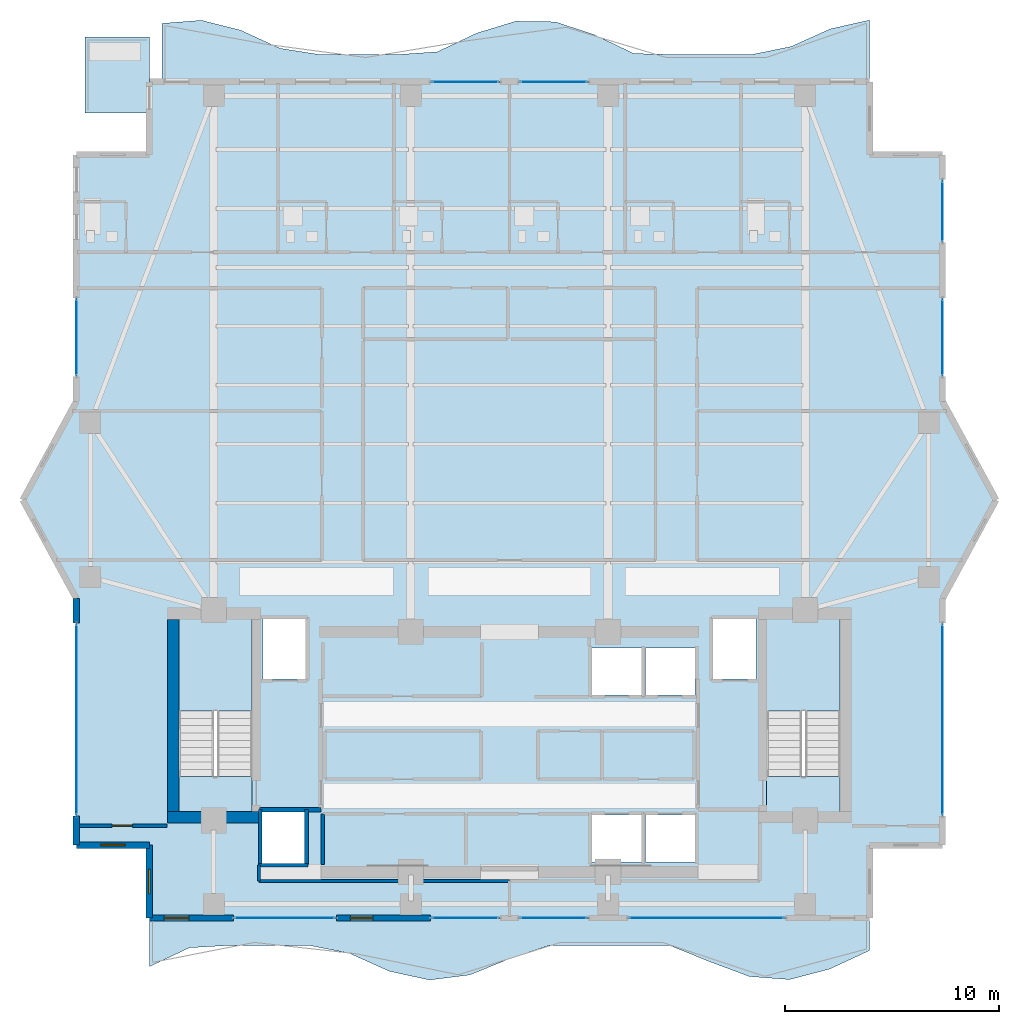
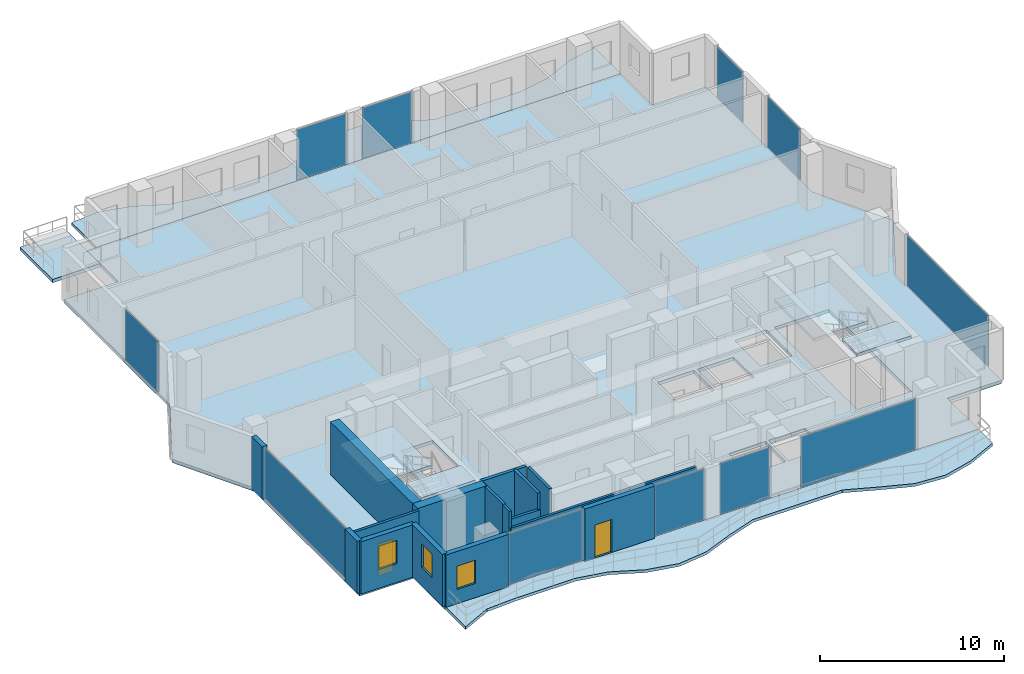
# One storey, part 16 of 24: 16 walls, 11 plates, 8 slabs, 3 windows, 2 doors, 5 openings, 13 elements without a shape of their own.
"""IFC4 building model written with IfcOpenShell, lengths in metres."""

from ifc_helpers import new_model, si_unit, direction, frame, frame_2d, origin, origin_2d, place, context, subcontext, project, spatial, polyline, rectangle, outline, extrude, material, layer, layer_set, type_object, element, fill, aggregate, save


model = new_model("IFC4")

# Units and contexts
model_context = context("Model", 3, precision=1e-05, world=origin(), true_north=direction((0.0, 1.0)))
body_context = subcontext(model_context, "Body", "Model", "MODEL_VIEW")
ifc_project = project(units=[si_unit("LENGTHUNIT", "METRE"), si_unit("AREAUNIT", "SQUARE_METRE"), si_unit("VOLUMEUNIT", "CUBIC_METRE"), si_unit("PLANEANGLEUNIT", "RADIAN"), si_unit("MASSUNIT", "GRAM", prefix="KILO")], contexts=[model_context])

# Site, building, storey
site_placement = place(None, origin())
site = spatial("IfcSite", under=ifc_project, at=site_placement, CompositionType="ELEMENT")
building_placement = place(site_placement, origin())
building = spatial("IfcBuilding", under=site, at=building_placement, Name="Zuhayl Quay Hotel", CompositionType="ELEMENT")
storey_placement = place(building_placement, frame((0.0, 0.0, 276.64990234375)))
storey = spatial("IfcBuildingStorey", under=building, at=storey_placement, Name="L70", CompositionType="ELEMENT", Elevation=276.64990234375)

# Curtain wall, plate
ifc_material_1 = material(Name="Anodised Aluminium 6063-T6", Category="aluminium")
ifc_layer_1 = layer(ifc_material_1, 0.169921875, Name="Anodised Aluminium 6063-T6", Category="aluminium")
ifc_layer_set_1 = layer_set([ifc_layer_1], Name="Anodised Aluminium 6063-T6")
curtain_wall_type = type_object("IfcCurtainWallType", Name="CW_SYS_Z4", PredefinedType="USERDEFINED", material=ifc_layer_set_1)
curtain_wall_1_placement = place(storey_placement, origin())
curtain_wall_1 = element("IfcCurtainWall", 1, at=curtain_wall_1_placement, inside=storey, type_object=curtain_wall_type, Name="L70 Curtain Wall ENV_L70_E02_CW1", ObjectType="UNITISED CURTAIN WALL", PredefinedType="USERDEFINED")
ifc_material_2 = material(Name="Dark Ceramic-Fritted Solar Glass", Category="glass")
ifc_layer_2 = layer(ifc_material_2, 0.035888671875, Name="Dark Ceramic-Fritted Solar Glass", Category="glass")
ifc_layer_set_2 = layer_set([ifc_layer_2], Name="Dark Ceramic-Fritted Solar Glass")
plate_type = type_object("IfcPlateType", Name="PN_DARK_FRIT_Z1", PredefinedType="CURTAIN_PANEL", material=ifc_layer_set_2)
plate_1_placement = place(storey_placement, frame((-20.199951171875, 9.25, 0.054931640625), z_axis=(0.0, 0.0, 1.0), x_axis=(0.0, 1.0, 0.0)))
plate_1 = element("IfcPlate", 2, at=plate_1_placement, type_object=plate_type, Name="CW-Z4 panel 1.1", PredefinedType="CURTAIN_PANEL", context=body_context, shape_type="SweptSolid", body=[
    extrude(rectangle(XDim=8.8701171875, YDim=0.035888671875, at=origin_2d()), origin(), (0.0, 0.0, 1.0), 3.3701171875),
])
aggregate(curtain_wall_1, [plate_1])

curtain_wall_2_placement = place(storey_placement, origin())
curtain_wall_2 = element("IfcCurtainWall", 3, at=curtain_wall_2_placement, inside=storey, type_object=curtain_wall_type, Name="L70 Curtain Wall ENV_L70_E05_CW1", ObjectType="UNITISED CURTAIN WALL", PredefinedType="USERDEFINED")
plate_2_placement = place(storey_placement, frame((-20.199951171875, 27.090087890625, 0.054931640625), z_axis=(0.0, 0.0, 1.0), x_axis=(0.0, 1.0, 0.0)))
plate_2 = element("IfcPlate", 4, at=plate_2_placement, type_object=plate_type, Name="CW-Z4 panel 1.1", PredefinedType="CURTAIN_PANEL", context=body_context, shape_type="SweptSolid", body=[
    extrude(rectangle(XDim=3.550048828125, YDim=0.035888671875, at=origin_2d()), origin(), (0.0, 0.0, 1.0), 3.3701171875),
])
aggregate(curtain_wall_2, [plate_2])

curtain_wall_3_placement = place(storey_placement, origin())
curtain_wall_3 = element("IfcCurtainWall", 5, at=curtain_wall_3_placement, inside=storey, type_object=curtain_wall_type, Name="L70 Curtain Wall ENV_L70_N_CW1", ObjectType="UNITISED CURTAIN WALL", PredefinedType="USERDEFINED")
plate_3_placement = place(storey_placement, frame((-2.06494140625, 39.0, 0.054931640625), z_axis=(0.0, 0.0, 1.0), x_axis=(1.0, 0.0, 0.0)))
plate_3 = element("IfcPlate", 6, at=plate_3_placement, type_object=plate_type, Name="CW-Z4 panel 1.1", PredefinedType="CURTAIN_PANEL", context=body_context, shape_type="SweptSolid", body=[
    extrude(rectangle(XDim=3.10009765625, YDim=0.035888671875, at=origin_2d()), origin(), (0.0, 0.0, 1.0), 3.3701171875),
])
aggregate(curtain_wall_3, [plate_3])

curtain_wall_4_placement = place(storey_placement, origin())
curtain_wall_4 = element("IfcCurtainWall", 7, at=curtain_wall_4_placement, inside=storey, type_object=curtain_wall_type, Name="L70 Curtain Wall ENV_L70_N_CW2", ObjectType="UNITISED CURTAIN WALL", PredefinedType="USERDEFINED")
plate_4_placement = place(storey_placement, frame((2.06494140625, 39.0, 0.054931640625), z_axis=(0.0, 0.0, 1.0), x_axis=(1.0, 0.0, 0.0)))
plate_4 = element("IfcPlate", 8, at=plate_4_placement, type_object=plate_type, Name="CW-Z4 panel 1.1", PredefinedType="CURTAIN_PANEL", context=body_context, shape_type="SweptSolid", body=[
    extrude(rectangle(XDim=3.10009765625, YDim=0.035888671875, at=origin_2d()), origin(), (0.0, 0.0, 1.0), 3.3701171875),
])
aggregate(curtain_wall_4, [plate_4])

curtain_wall_5_placement = place(storey_placement, origin())
curtain_wall_5 = element("IfcCurtainWall", 9, at=curtain_wall_5_placement, inside=storey, type_object=curtain_wall_type, Name="L70 Curtain Wall ENV_L70_E11_CW1", ObjectType="UNITISED CURTAIN WALL", PredefinedType="USERDEFINED")
plate_5_placement = place(storey_placement, frame((20.199951171875, 32.97509765625, 0.054931640625), z_axis=(0.0, 0.0, 1.0), x_axis=(0.0, -1.0, 0.0)))
plate_5 = element("IfcPlate", 10, at=plate_5_placement, type_object=plate_type, Name="CW-Z4 panel 1.1", PredefinedType="CURTAIN_PANEL", context=body_context, shape_type="SweptSolid", body=[
    extrude(rectangle(XDim=2.820068359375, YDim=0.035888671875, at=origin_2d()), origin(), (0.0, 0.0, 1.0), 3.3701171875),
])
aggregate(curtain_wall_5, [plate_5])

curtain_wall_6_placement = place(storey_placement, origin())
curtain_wall_6 = element("IfcCurtainWall", 11, at=curtain_wall_6_placement, inside=storey, type_object=curtain_wall_type, Name="L70 Curtain Wall ENV_L70_E11_CW2", ObjectType="UNITISED CURTAIN WALL", PredefinedType="USERDEFINED")
plate_6_placement = place(storey_placement, frame((20.199951171875, 27.090087890625, 0.054931640625), z_axis=(0.0, 0.0, 1.0), x_axis=(0.0, -1.0, 0.0)))
plate_6 = element("IfcPlate", 12, at=plate_6_placement, type_object=plate_type, Name="CW-Z4 panel 1.1", PredefinedType="CURTAIN_PANEL", context=body_context, shape_type="SweptSolid", body=[
    extrude(rectangle(XDim=3.550048828125, YDim=0.035888671875, at=origin_2d()), origin(), (0.0, 0.0, 1.0), 3.3701171875),
])
aggregate(curtain_wall_6, [plate_6])

curtain_wall_7_placement = place(storey_placement, origin())
curtain_wall_7 = element("IfcCurtainWall", 13, at=curtain_wall_7_placement, inside=storey, type_object=curtain_wall_type, Name="L70 Curtain Wall ENV_L70_E14_CW1", ObjectType="UNITISED CURTAIN WALL", PredefinedType="USERDEFINED")
plate_7_placement = place(storey_placement, frame((20.199951171875, 9.25, 0.054931640625), z_axis=(0.0, 0.0, 1.0), x_axis=(0.0, -1.0, 0.0)))
plate_7 = element("IfcPlate", 14, at=plate_7_placement, type_object=plate_type, Name="CW-Z4 panel 1.1", PredefinedType="CURTAIN_PANEL", context=body_context, shape_type="SweptSolid", body=[
    extrude(rectangle(XDim=8.8701171875, YDim=0.035888671875, at=origin_2d()), origin(), (0.0, 0.0, 1.0), 3.3701171875),
])
aggregate(curtain_wall_7, [plate_7])

curtain_wall_8_placement = place(storey_placement, origin())
curtain_wall_8 = element("IfcCurtainWall", 15, at=curtain_wall_8_placement, inside=storey, type_object=curtain_wall_type, Name="L70 Curtain Wall ENV_L70_S_CW1", ObjectType="UNITISED CURTAIN WALL", PredefinedType="USERDEFINED")
plate_8_placement = place(storey_placement, frame((9.199951171875, 0.0, 0.054931640625), z_axis=(0.0, 0.0, 1.0), x_axis=(-1.0, 0.0, 0.0)))
plate_8 = element("IfcPlate", 16, at=plate_8_placement, type_object=plate_type, Name="CW-Z4 panel 1.1", PredefinedType="CURTAIN_PANEL", context=body_context, shape_type="SweptSolid", body=[
    extrude(rectangle(XDim=7.22998046875, YDim=0.035888671875, at=origin_2d()), origin(), (0.0, 0.0, 1.0), 3.3701171875),
])
aggregate(curtain_wall_8, [plate_8])

curtain_wall_9_placement = place(storey_placement, origin())
curtain_wall_9 = element("IfcCurtainWall", 17, at=curtain_wall_9_placement, inside=storey, type_object=curtain_wall_type, Name="L70 Curtain Wall ENV_L70_S_CW2", ObjectType="UNITISED CURTAIN WALL", PredefinedType="USERDEFINED")
plate_9_placement = place(storey_placement, frame((2.06494140625, 0.0, 0.054931640625), z_axis=(0.0, 0.0, 1.0), x_axis=(-1.0, 0.0, 0.0)))
plate_9 = element("IfcPlate", 18, at=plate_9_placement, type_object=plate_type, Name="CW-Z4 panel 1.1", PredefinedType="CURTAIN_PANEL", context=body_context, shape_type="SweptSolid", body=[
    extrude(rectangle(XDim=3.10009765625, YDim=0.035888671875, at=origin_2d()), origin(), (0.0, 0.0, 1.0), 3.3701171875),
])
aggregate(curtain_wall_9, [plate_9])

curtain_wall_10_placement = place(storey_placement, origin())
curtain_wall_10 = element("IfcCurtainWall", 19, at=curtain_wall_10_placement, inside=storey, type_object=curtain_wall_type, Name="L70 Curtain Wall ENV_L70_S_CW3", ObjectType="UNITISED CURTAIN WALL", PredefinedType="USERDEFINED")
plate_10_placement = place(storey_placement, frame((-2.06494140625, 0.0, 0.054931640625), z_axis=(0.0, 0.0, 1.0), x_axis=(-1.0, 0.0, 0.0)))
plate_10 = element("IfcPlate", 20, at=plate_10_placement, type_object=plate_type, Name="CW-Z4 panel 1.1", PredefinedType="CURTAIN_PANEL", context=body_context, shape_type="SweptSolid", body=[
    extrude(rectangle(XDim=3.10009765625, YDim=0.035888671875, at=origin_2d()), origin(), (0.0, 0.0, 1.0), 3.3701171875),
])
aggregate(curtain_wall_10, [plate_10])

curtain_wall_11_placement = place(storey_placement, origin())
curtain_wall_11 = element("IfcCurtainWall", 21, at=curtain_wall_11_placement, inside=storey, type_object=curtain_wall_type, Name="L70 Curtain Wall ENV_L70_S_CW4", ObjectType="UNITISED CURTAIN WALL", PredefinedType="USERDEFINED")
plate_11_placement = place(storey_placement, frame((-10.4775390625, 0.0, 0.054931640625), z_axis=(0.0, 0.0, 1.0), x_axis=(-1.0, 0.0, 0.0)))
plate_11 = element("IfcPlate", 22, at=plate_11_placement, type_object=plate_type, Name="CW-Z4 panel 1.1", PredefinedType="CURTAIN_PANEL", context=body_context, shape_type="SweptSolid", body=[
    extrude(rectangle(XDim=4.675048828125, YDim=0.035888671875, at=origin_2d()), origin(), (0.0, 0.0, 1.0), 3.3701171875),
])
aggregate(curtain_wall_11, [plate_11])

# Slabs
ifc_material_3 = material(Name="Concrete C45/55", Category="concrete")
ifc_layer_3 = layer(ifc_material_3, 0.195068359375, Name="Concrete C45/55", Category="concrete")
ifc_layer_set_3 = layer_set([ifc_layer_3], Name="Concrete C45/55")
slab_type_1 = type_object("IfcSlabType", Name="SL_BALCONY_195", PredefinedType="FLOOR", material=ifc_layer_set_3)
slab_1_placement = place(storey_placement, frame((0.0, 0.0, -0.19482421875)))
element("IfcSlab", 23, at=slab_1_placement, inside=storey, type_object=slab_type_1, Name="L70 Exterior Rippling Balcony Slab North", PredefinedType="FLOOR", context=body_context, shape_type="SweptSolid", body=[
    extrude(outline(polyline([(-16.199951171875, 39.0), (16.800048828125, 39.0), (16.800048828125, 41.889404296875), (14.966796875, 41.47412109375), (13.13330078125, 40.64990234375), (11.300048828125, 40.280029296875), (9.466796875, 40.280029296875), (7.63330078125, 40.280029296875), (5.800048828125, 40.326416015625), (3.966796875, 41.202880859375), (2.13330078125, 41.8046875), (0.300048828125, 41.833740234375), (-1.533203125, 41.27490234375), (-3.36669921875, 40.406005859375), (-5.199951171875, 40.280029296875), (-7.033203125, 40.280029296875), (-8.86669921875, 40.280029296875), (-10.699951171875, 40.568115234375), (-12.533203125, 41.410888671875), (-14.36669921875, 41.8759765625), (-16.199951171875, 41.732421875), (-16.199951171875, 39.0)])), origin(), (0.0, 0.0, 1.0), 0.19482421875),
])
slab_2_placement = place(storey_placement, frame((0.0, 0.0, -0.19482421875)))
element("IfcSlab", 24, at=slab_2_placement, inside=storey, type_object=slab_type_1, Name="L70 Exterior Rippling Balcony Slab South", PredefinedType="FLOOR", context=body_context, shape_type="SweptSolid", body=[
    extrude(outline(polyline([(-16.800048828125, -2.27490234375), (-14.933349609375, -1.39013671875), (-13.066650390625, -1.280029296875), (-11.199951171875, -1.280029296875), (-9.333251953125, -1.280029296875), (-7.466796875, -1.64990234375), (-5.60009765625, -2.486328125), (-3.7333984375, -2.893310546875), (-1.86669921875, -2.661376953125), (0.0, -1.909912109375), (1.86669921875, -1.280029296875), (3.7333984375, -1.280029296875), (5.60009765625, -1.280029296875), (7.466796875, -1.280029296875), (9.333251953125, -2.036376953125), (11.199951171875, -2.732421875), (13.066650390625, -2.872802734375), (14.933349609375, -2.384765625), (16.800048828125, -1.519287109375), (16.800048828125, 0.0), (-16.800048828125, 0.0), (-16.800048828125, -2.27490234375)])), origin(), (0.0, 0.0, 1.0), 0.19482421875),
])
ifc_layer_4 = layer(ifc_material_3, 0.219970703125, Name="Concrete C45/55", Category="concrete")
ifc_layer_set_4 = layer_set([ifc_layer_4], Name="Concrete C45/55")
slab_type_2 = type_object("IfcSlabType", Name="SL_FLOOR_220", PredefinedType="FLOOR", material=ifc_layer_set_4)
slab_3_placement = place(storey_placement, frame((0.0, 0.0, -0.219970703125)))
element("IfcSlab", 25, at=slab_3_placement, inside=storey, type_object=slab_type_2, Name="L70 Structural Floor Slab", PredefinedType="FLOOR", context=body_context, shape_type="SweptSolid", body=[
    extrude(outline(polyline([(-16.800048828125, 0.0), (16.800048828125, 0.0), (16.800048828125, 3.39990234375), (20.199951171875, 3.39990234375), (20.199951171875, 14.89990234375), (22.699951171875, 19.5), (20.199951171875, 24.10009765625), (20.199951171875, 35.60009765625), (16.800048828125, 35.60009765625), (16.800048828125, 39.0), (-16.800048828125, 39.0), (-16.800048828125, 35.60009765625), (-20.199951171875, 35.60009765625), (-20.199951171875, 24.10009765625), (-22.699951171875, 19.5), (-20.199951171875, 14.89990234375), (-20.199951171875, 3.39990234375), (-16.800048828125, 3.39990234375), (-16.800048828125, 0.0)]), holes=[polyline([(-12.0, 4.949951171875), (-12.0, 13.949951171875), (-15.429931640625, 13.949951171875), (-15.429931640625, 4.949951171875), (-12.0, 4.949951171875)]), polyline([(15.429931640625, 4.949951171875), (15.429931640625, 13.949951171875), (12.0, 13.949951171875), (12.0, 4.949951171875), (15.429931640625, 4.949951171875)]), polyline([(-11.5, 11.14990234375), (-9.5, 11.14990234375), (-9.5, 13.949951171875), (-11.5, 13.949951171875), (-11.5, 11.14990234375)]), polyline([(9.5, 11.14990234375), (11.5, 11.14990234375), (11.5, 13.949951171875), (9.5, 13.949951171875), (9.5, 11.14990234375)]), polyline([(3.85009765625, 2.60009765625), (6.14990234375, 2.60009765625), (6.14990234375, 4.800048828125), (3.85009765625, 4.800048828125), (3.85009765625, 2.60009765625)]), polyline([(6.35009765625, 2.60009765625), (8.64990234375, 2.60009765625), (8.64990234375, 4.800048828125), (6.35009765625, 4.800048828125), (6.35009765625, 2.60009765625)]), polyline([(3.85009765625, 10.39990234375), (6.14990234375, 10.39990234375), (6.14990234375, 12.60009765625), (3.85009765625, 12.60009765625), (3.85009765625, 10.39990234375)]), polyline([(6.35009765625, 10.39990234375), (8.64990234375, 10.39990234375), (8.64990234375, 12.60009765625), (6.35009765625, 12.60009765625), (6.35009765625, 10.39990234375)]), polyline([(-11.550048828125, 2.550048828125), (-9.550048828125, 2.550048828125), (-9.550048828125, 4.949951171875), (-11.550048828125, 4.949951171875), (-11.550048828125, 2.550048828125)])]), origin(), (0.0, 0.0, 1.0), 0.219970703125),
])

# Stair, slabs
stair_type = type_object("IfcStairType", Name="ST_DOGLEG_TOWER", PredefinedType="HALF_TURN_STAIR", material=ifc_material_3)
stair_1_placement = place(storey_placement, origin())
stair_1 = element("IfcStair", 26, at=stair_1_placement, inside=storey, type_object=stair_type, Name="L70 Smokeproof Exit Stair ST1", PredefinedType="HALF_TURN_STAIR")
ifc_layer_5 = layer(ifc_material_3, 0.199951171875, Name="Concrete C45/55", Category="concrete")
ifc_layer_set_5 = layer_set([ifc_layer_5], Name="Concrete C45/55")
slab_type_3 = type_object("IfcSlabType", Name="SL_STAIR_LANDING_200", PredefinedType="LANDING", material=ifc_layer_set_5)
slab_4_placement = place(storey_placement, frame((0.0, 0.0, 1.650146484375)))
slab_4 = element("IfcSlab", 27, at=slab_4_placement, type_object=slab_type_3, Name="ST1 landing 1", PredefinedType="LANDING", context=body_context, shape_type="SweptSolid", body=[
    extrude(outline(polyline([(-12.0, 9.64990234375), (-12.0, 13.949951171875), (-15.429931640625, 13.949951171875), (-15.429931640625, 9.64990234375), (-12.0, 9.64990234375)])), origin(), (0.0, 0.0, 1.0), 0.199951171875),
])
slab_5_placement = place(storey_placement, frame((0.0, 0.0, 3.5)))
slab_5 = element("IfcSlab", 28, at=slab_5_placement, type_object=slab_type_3, Name="ST1 landing 2", PredefinedType="LANDING", context=body_context, shape_type="SweptSolid", body=[
    extrude(outline(polyline([(-12.0, 4.949951171875), (-12.0, 6.590087890625), (-15.429931640625, 6.590087890625), (-15.429931640625, 4.949951171875), (-12.0, 4.949951171875)])), origin(), (0.0, 0.0, 1.0), 0.2001953125),
])
aggregate(stair_1, [slab_4, slab_5])

stair_2_placement = place(storey_placement, origin())
stair_2 = element("IfcStair", 29, at=stair_2_placement, inside=storey, type_object=stair_type, Name="L70 Smokeproof Exit Stair ST2", PredefinedType="HALF_TURN_STAIR")
slab_6_placement = place(storey_placement, frame((0.0, 0.0, 1.650146484375)))
slab_6 = element("IfcSlab", 30, at=slab_6_placement, type_object=slab_type_3, Name="ST2 landing 1", PredefinedType="LANDING", context=body_context, shape_type="SweptSolid", body=[
    extrude(outline(polyline([(15.429931640625, 9.64990234375), (15.429931640625, 13.949951171875), (12.0, 13.949951171875), (12.0, 9.64990234375), (15.429931640625, 9.64990234375)])), origin(), (0.0, 0.0, 1.0), 0.199951171875),
])
slab_7_placement = place(storey_placement, frame((0.0, 0.0, 3.5)))
slab_7 = element("IfcSlab", 31, at=slab_7_placement, type_object=slab_type_3, Name="ST2 landing 2", PredefinedType="LANDING", context=body_context, shape_type="SweptSolid", body=[
    extrude(outline(polyline([(15.429931640625, 4.949951171875), (15.429931640625, 6.590087890625), (12.0, 6.590087890625), (12.0, 4.949951171875), (15.429931640625, 4.949951171875)])), origin(), (0.0, 0.0, 1.0), 0.2001953125),
])
aggregate(stair_2, [slab_6, slab_7])

# Slab
ifc_layer_6 = layer(ifc_material_3, 0.219970703125, Name="Concrete C45/55", Category="concrete")
ifc_layer_set_6 = layer_set([ifc_layer_6], Name="Concrete C45/55")
slab_type_4 = type_object("IfcSlabType", Name="SL_TERRACE_235", PredefinedType="FLOOR", material=ifc_layer_set_6)
slab_8_placement = place(storey_placement, frame((0.0, 0.0, -0.219970703125)))
element("IfcSlab", 32, at=slab_8_placement, inside=storey, type_object=slab_type_4, Name="L70 Exterior Sky-Terrace Slab L70_SPIRAL_NW", PredefinedType="FLOOR", context=body_context, shape_type="SweptSolid", body=[
    extrude(outline(polyline([(-19.800048828125, 37.550048828125), (-16.800048828125, 37.550048828125), (-16.800048828125, 41.10009765625), (-19.800048828125, 41.10009765625), (-19.800048828125, 37.550048828125)])), origin(), (0.0, 0.0, 1.0), 0.219970703125),
])

# Walls
ifc_material_4 = material(Name="Concrete C50/60", Category="concrete")
ifc_layer_7 = layer(ifc_material_4, 0.550048828125, Name="Concrete C50/60", Category="concrete")
ifc_layer_set_7 = layer_set([ifc_layer_7], Name="Concrete C50/60")
wall_type_1 = type_object("IfcWallType", Name="WL_CORE_550", PredefinedType="SHEAR", material=ifc_layer_set_7)
wall_1_placement = place(storey_placement, frame((-15.68505859375, 4.969970703125, 0.0), z_axis=(0.0, 0.0, 1.0), x_axis=(0.0, 1.0, 0.0)))
element("IfcWall", 33, at=wall_1_placement, inside=storey, type_object=wall_type_1, Name="L70 Core Shear Wall CW_W", PredefinedType="SHEAR", context=body_context, shape_type="SweptSolid", body=[
    extrude(rectangle(XDim=8.9599609375, YDim=0.550048828125, at=frame_2d((4.47998046875, 0.0))), origin(), (0.0, 0.0, 1.0), 3.510009765625),
])
wall_2_placement = place(storey_placement, frame((-15.9599609375, 4.695068359375, 0.0), z_axis=(0.0, 0.0, 1.0), x_axis=(1.0, 0.0, 0.0)))
element("IfcWall", 34, at=wall_2_placement, inside=storey, type_object=wall_type_1, Name="L70 Core Shear Wall CW_SW", PredefinedType="SHEAR", context=body_context, shape_type="SweptSolid", body=[
    extrude(rectangle(XDim=4.35986328125, YDim=0.550048828125, at=frame_2d((2.179931640625, 0.0))), origin(), (0.0, 0.0, 1.0), 3.510009765625),
])

# Wall, opening, window
ifc_material_5 = material(Name="Precast concrete C45/55", Category="concrete")
ifc_layer_8 = layer(ifc_material_5, 0.300048828125, Name="Precast concrete C45/55", Category="concrete")
ifc_layer_set_8 = layer_set([ifc_layer_8], Name="Precast concrete C45/55")
wall_type_2 = type_object("IfcWallType", Name="WL_EXT_300", PredefinedType="STANDARD", material=ifc_layer_set_8)
wall_3_placement = place(storey_placement, frame((-16.800048828125, 3.39990234375, 0.0), z_axis=(0.0, 0.0, 1.0), x_axis=(-1.0, 0.0, 0.0)))
wall_3 = element("IfcWall", 35, at=wall_3_placement, inside=storey, type_object=wall_type_2, Name="L70 Exterior Precast Wall ENV_L70_EW01", PredefinedType="STANDARD", context=body_context, shape_type="SweptSolid", body=[
    extrude(rectangle(XDim=3.39990234375, YDim=0.300048828125, at=frame_2d((1.699951171875, 0.0))), origin(), (0.0, 0.0, 1.0), 3.47998046875),
])
opening_1_placement = place(wall_3_placement, frame((1.125, 0.0, 1.25)))
opening_1 = element("IfcOpeningElement", 36, at=opening_1_placement, cuts=wall_3, Name="Opening W01N", PredefinedType="OPENING", context=body_context, shape_type="SweptSolid", body=[
    extrude(rectangle(XDim=1.14990234375, YDim=1.550048828125, at=frame_2d((0.574951171875, 0.77490234375))), frame((0.0, 0.159912109375, 0.0), z_axis=(0.0, -1.0, 0.0), x_axis=(1.0, 0.0, 0.0)), (0.0, 0.0, 1.0), 0.320068359375),
])
window_type = type_object("IfcWindowType", Name="WN_NOTCH_1350", PartitioningType="SINGLE_PANEL", PredefinedType="WINDOW", material=ifc_material_2)
window_1_placement = place(opening_1_placement, origin())
window_1 = element("IfcWindow", 37, at=window_1_placement, inside=storey, type_object=window_type, Name="L70 Corner Notch Window 1", OverallHeight=1.550048828125, OverallWidth=1.14990234375, PartitioningType="SINGLE_PANEL", PredefinedType="WINDOW", context=body_context, shape_type="SweptSolid", body=[
    extrude(rectangle(XDim=1.14990234375, YDim=1.550048828125, at=frame_2d((0.574951171875, 0.77490234375))), frame((0.0, 0.030029296875, 0.0), z_axis=(0.0, -1.0, 0.0), x_axis=(1.0, 0.0, 0.0)), (0.0, 0.0, 1.0), 0.06005859375),
])
fill(opening_1, window_1)

# Walls
wall_4_placement = place(storey_placement, frame((-20.199951171875, 3.39990234375, 0.0), z_axis=(0.0, 0.0, 1.0), x_axis=(0.0, 1.0, 0.0)))
element("IfcWall", 38, at=wall_4_placement, inside=storey, type_object=wall_type_2, Name="L70 Exterior Precast Wall ENV_L70_E02_EW1", PredefinedType="STANDARD", context=body_context, shape_type="SweptSolid", body=[
    extrude(rectangle(XDim=1.35009765625, YDim=0.300048828125, at=frame_2d((0.675048828125, 0.0))), origin(), (0.0, 0.0, 1.0), 3.47998046875),
])
wall_5_placement = place(storey_placement, frame((-20.199951171875, 13.75, 0.0), z_axis=(0.0, 0.0, 1.0), x_axis=(0.0, 1.0, 0.0)))
element("IfcWall", 39, at=wall_5_placement, inside=storey, type_object=wall_type_2, Name="L70 Exterior Precast Wall ENV_L70_E02_EW2", PredefinedType="STANDARD", context=body_context, shape_type="SweptSolid", body=[
    extrude(rectangle(XDim=1.14990234375, YDim=0.300048828125, at=frame_2d((0.574951171875, 0.0))), origin(), (0.0, 0.0, 1.0), 3.47998046875),
])

# Wall, opening, door
wall_6_placement = place(storey_placement, frame((-3.679931640625, 0.0, 0.0), z_axis=(0.0, 0.0, 1.0), x_axis=(-1.0, 0.0, 0.0)))
wall_6 = element("IfcWall", 40, at=wall_6_placement, inside=storey, type_object=wall_type_2, Name="L70 Exterior Precast Wall ENV_L70_S_EW4", PredefinedType="STANDARD", context=body_context, shape_type="SweptSolid", body=[
    extrude(rectangle(XDim=4.39501953125, YDim=0.300048828125, at=frame_2d((2.197509765625, 0.0))), origin(), (0.0, 0.0, 1.0), 3.47998046875),
])
opening_2_placement = place(wall_6_placement, frame((2.695068359375, 0.0, 0.0)))
opening_2 = element("IfcOpeningElement", 41, at=opening_2_placement, cuts=wall_6, Name="Opening DG1", PredefinedType="OPENING", context=body_context, shape_type="SweptSolid", body=[
    extrude(rectangle(XDim=1.050048828125, YDim=2.199951171875, at=frame_2d((0.52490234375, 1.10009765625))), frame((0.0, 0.159912109375, 0.0), z_axis=(0.0, -1.0, 0.0), x_axis=(1.0, 0.0, 0.0)), (0.0, 0.0, 1.0), 0.320068359375),
])
ifc_material_6 = material(Name="Anodised Aluminium and Dark Solar Glass", Category="aluminium")
door_type_1 = type_object("IfcDoorType", Name="DR_EXT_TERR_1050", OperationType="NOTDEFINED", PredefinedType="DOOR", material=ifc_material_6)
door_1_placement = place(opening_2_placement, origin())
door_1 = element("IfcDoor", 42, at=door_1_placement, inside=storey, type_object=door_type_1, Name="L70 South Rippling Balcony Door", OperationType="SINGLE_SWING_RIGHT", OverallHeight=2.199951171875, OverallWidth=1.050048828125, PredefinedType="DOOR", context=body_context, shape_type="SweptSolid", body=[
    extrude(rectangle(XDim=1.050048828125, YDim=2.199951171875, at=frame_2d((0.52490234375, 1.10009765625))), frame((0.0, 0.02490234375, 0.0), z_axis=(0.0, -1.0, 0.0), x_axis=(1.0, 0.0, 0.0)), (0.0, 0.0, 1.0), 0.050048828125),
])
fill(opening_2, door_1)

# Wall, opening, window
wall_7_placement = place(storey_placement, frame((-12.8798828125, 0.0, 0.0), z_axis=(0.0, 0.0, 1.0), x_axis=(-1.0, 0.0, 0.0)))
wall_7 = element("IfcWall", 43, at=wall_7_placement, inside=storey, type_object=wall_type_2, Name="L70 Exterior Precast Wall ENV_L70_S_EW5", PredefinedType="STANDARD", context=body_context, shape_type="SweptSolid", body=[
    extrude(rectangle(XDim=3.920166015625, YDim=0.300048828125, at=frame_2d((1.9599609375, 0.0))), origin(), (0.0, 0.0, 1.0), 3.47998046875),
])
opening_3_placement = place(wall_7_placement, frame((2.074951171875, 0.0, 0.949951171875)))
opening_3 = element("IfcOpeningElement", 44, at=opening_3_placement, cuts=wall_7, Name="Opening W01N", PredefinedType="OPENING", context=body_context, shape_type="SweptSolid", body=[
    extrude(rectangle(XDim=1.14990234375, YDim=1.550048828125, at=frame_2d((0.574951171875, 0.77490234375))), frame((0.0, 0.159912109375, 0.0), z_axis=(0.0, -1.0, 0.0), x_axis=(1.0, 0.0, 0.0)), (0.0, 0.0, 1.0), 0.320068359375),
])
window_2_placement = place(opening_3_placement, origin())
window_2 = element("IfcWindow", 45, at=window_2_placement, inside=storey, type_object=window_type, Name="L70 Operable Facade Window 5-1", OverallHeight=1.550048828125, OverallWidth=1.14990234375, PartitioningType="SINGLE_PANEL", PredefinedType="WINDOW", context=body_context, shape_type="SweptSolid", body=[
    extrude(rectangle(XDim=1.14990234375, YDim=1.550048828125, at=frame_2d((0.574951171875, 0.77490234375))), frame((0.0, 0.030029296875, 0.0), z_axis=(0.0, -1.0, 0.0), x_axis=(1.0, 0.0, 0.0)), (0.0, 0.0, 1.0), 0.06005859375),
])
fill(opening_3, window_2)

wall_8_placement = place(storey_placement, frame((-16.800048828125, 0.0, 0.0), z_axis=(0.0, 0.0, 1.0), x_axis=(0.0, 1.0, 0.0)))
wall_8 = element("IfcWall", 46, at=wall_8_placement, inside=storey, type_object=wall_type_2, Name="L70 Exterior Precast Wall ENV_L70_EW18", PredefinedType="STANDARD", context=body_context, shape_type="SweptSolid", body=[
    extrude(rectangle(XDim=3.39990234375, YDim=0.300048828125, at=frame_2d((1.699951171875, 0.0))), origin(), (0.0, 0.0, 1.0), 3.47998046875),
])
opening_4_placement = place(wall_8_placement, frame((1.125, 0.0, 1.25)))
opening_4 = element("IfcOpeningElement", 47, at=opening_4_placement, cuts=wall_8, Name="Opening W01N", PredefinedType="OPENING", context=body_context, shape_type="SweptSolid", body=[
    extrude(rectangle(XDim=1.14990234375, YDim=1.550048828125, at=frame_2d((0.574951171875, 0.77490234375))), frame((0.0, 0.159912109375, 0.0), z_axis=(0.0, -1.0, 0.0), x_axis=(1.0, 0.0, 0.0)), (0.0, 0.0, 1.0), 0.320068359375),
])
window_3_placement = place(opening_4_placement, origin())
window_3 = element("IfcWindow", 48, at=window_3_placement, inside=storey, type_object=window_type, Name="L70 Corner Notch Window 18", OverallHeight=1.550048828125, OverallWidth=1.14990234375, PartitioningType="SINGLE_PANEL", PredefinedType="WINDOW", context=body_context, shape_type="SweptSolid", body=[
    extrude(rectangle(XDim=1.14990234375, YDim=1.550048828125, at=frame_2d((0.574951171875, 0.77490234375))), frame((0.0, 0.030029296875, 0.0), z_axis=(0.0, -1.0, 0.0), x_axis=(1.0, 0.0, 0.0)), (0.0, 0.0, 1.0), 0.06005859375),
])
fill(opening_4, window_3)

# Walls
ifc_material_7 = material(Name="Acoustic Gypsum Partition STC-58")
ifc_layer_9 = layer(ifc_material_7, 0.14990234375, Name="Acoustic Gypsum Partition STC-58")
ifc_layer_set_9 = layer_set([ifc_layer_9], Name="Acoustic Gypsum Partition STC-58")
wall_type_3 = type_object("IfcWallType", Name="WL_PART_150", PredefinedType="PARTITIONING", material=ifc_layer_set_9)
wall_9_placement = place(storey_placement, frame((-8.7099609375, 2.489990234375, 0.0), z_axis=(0.0, 0.0, 1.0), x_axis=(0.0, 1.0, 0.0)))
element("IfcWall", 49, at=wall_9_placement, inside=storey, type_object=wall_type_3, Name="L70 Partition IW_L70_FMP_SW_W", PredefinedType="PARTITIONING", context=body_context, shape_type="SweptSolid", body=[
    extrude(rectangle(XDim=2.3701171875, YDim=0.14990234375, at=frame_2d((1.18505859375, 0.0))), origin(), (0.0, 0.0, 1.0), 3.47998046875),
])
wall_10_placement = place(storey_placement, frame((-11.679931640625, 1.719970703125, 0.0), z_axis=(0.0, 0.0, 1.0), x_axis=(0.0, 1.0, 0.0)))
element("IfcWall", 50, at=wall_10_placement, inside=storey, type_object=wall_type_3, Name="L70 Partition IW_L70_Z4_SUN_SW_IN", PredefinedType="PARTITIONING", context=body_context, shape_type="SweptSolid", body=[
    extrude(rectangle(XDim=0.75, YDim=0.14990234375, at=frame_2d((0.375, 0.0))), origin(), (0.0, 0.0, 1.0), 3.47998046875),
])
wall_11_placement = place(storey_placement, frame((-11.679931640625, 1.719970703125, 0.0), z_axis=(0.0, 0.0, 1.0), x_axis=(1.0, 0.0, 0.0)))
element("IfcWall", 51, at=wall_11_placement, inside=storey, type_object=wall_type_3, Name="L70 Partition IW_L70_Z4_SUN_SW_SN", PredefinedType="PARTITIONING", context=body_context, shape_type="SweptSolid", body=[
    extrude(rectangle(XDim=11.679931640625, YDim=0.14990234375, at=frame_2d((5.83984375, 0.0))), origin(), (0.0, 0.0, 1.0), 2.380126953125),
])

# Wall, opening, door
ifc_layer_10 = layer(ifc_material_7, 0.159912109375, Name="Acoustic Gypsum Partition STC-58")
ifc_layer_set_10 = layer_set([ifc_layer_10], Name="Acoustic Gypsum Partition STC-58")
wall_type_4 = type_object("IfcWallType", Name="WL_PART_CORR_160", PredefinedType="PARTITIONING", material=ifc_layer_set_10)
wall_12_placement = place(storey_placement, frame((-20.139892578125, 4.300048828125, 0.0), z_axis=(0.0, 0.0, 1.0), x_axis=(1.0, 0.0, 0.0)))
wall_12 = element("IfcWall", 52, at=wall_12_placement, inside=storey, type_object=wall_type_4, Name="L70 Partition IW_L70_Z4_SUN_SW_N", PredefinedType="PARTITIONING", context=body_context, shape_type="SweptSolid", body=[
    extrude(rectangle(XDim=4.159912109375, YDim=0.159912109375, at=frame_2d((2.080078125, 0.0))), origin(), (0.0, 0.0, 1.0), 3.47998046875),
])
opening_5_placement = place(wall_12_placement, frame((1.60498046875, 0.0, 0.0)))
opening_5 = element("IfcOpeningElement", 53, at=opening_5_placement, cuts=wall_12, Name="Opening D03", PredefinedType="OPENING", context=body_context, shape_type="SweptSolid", body=[
    extrude(rectangle(XDim=0.949951171875, YDim=2.14990234375, at=frame_2d((0.47509765625, 1.074951171875))), frame((0.0, 0.08984375, 0.0), z_axis=(0.0, -1.0, 0.0), x_axis=(1.0, 0.0, 0.0)), (0.0, 0.0, 1.0), 0.179931640625),
])
ifc_material_8 = material(Name="Solid Walnut Acoustic Fire Door")
door_type_2 = type_object("IfcDoorType", Name="DR_SUITE_950", OperationType="NOTDEFINED", PredefinedType="DOOR", material=ifc_material_8)
door_2_placement = place(opening_5_placement, origin())
door_2 = element("IfcDoor", 54, at=door_2_placement, inside=storey, type_object=door_type_2, Name="L70 Sunset Salon SW Door", OperationType="SINGLE_SWING_LEFT", OverallHeight=2.14990234375, OverallWidth=0.949951171875, PredefinedType="DOOR", context=body_context, shape_type="SweptSolid", body=[
    extrude(rectangle(XDim=0.949951171875, YDim=2.14990234375, at=frame_2d((0.47509765625, 1.074951171875))), frame((0.0, 0.02490234375, 0.0), z_axis=(0.0, -1.0, 0.0), x_axis=(1.0, 0.0, 0.0)), (0.0, 0.0, 1.0), 0.050048828125),
])
fill(opening_5, door_2)

# Walls
ifc_material_9 = material(Name="Gypsum Fireboard Assembly EI-90")
ifc_layer_11 = layer(ifc_material_9, 0.1650390625, Name="Gypsum Fireboard Assembly EI-90")
ifc_layer_set_11 = layer_set([ifc_layer_11], Name="Gypsum Fireboard Assembly EI-90")
wall_type_5 = type_object("IfcWallType", Name="WL_PART_SHAFT_160", PredefinedType="PARTITIONING", material=ifc_layer_set_11)
wall_13_placement = place(storey_placement, frame((-11.6298828125, 2.469970703125, 0.0), z_axis=(0.0, 0.0, 1.0), x_axis=(0.0, 1.0, 0.0)))
element("IfcWall", 55, at=wall_13_placement, inside=storey, type_object=wall_type_5, Name="L70 Partition IW_L70_RISER_W", PredefinedType="PARTITIONING", context=body_context, shape_type="SweptSolid", body=[
    extrude(rectangle(XDim=2.580078125, YDim=0.1650390625, at=frame_2d((1.2900390625, 0.0))), origin(), (0.0, 0.0, 1.0), 3.47998046875),
])
wall_14_placement = place(storey_placement, frame((-11.7099609375, 2.469970703125, 0.0), z_axis=(0.0, 0.0, 1.0), x_axis=(1.0, 0.0, 0.0)))
element("IfcWall", 56, at=wall_14_placement, inside=storey, type_object=wall_type_5, Name="L70 Partition IW_L70_RISER_S", PredefinedType="PARTITIONING", context=body_context, shape_type="SweptSolid", body=[
    extrude(rectangle(XDim=2.31005859375, YDim=0.1650390625, at=frame_2d((1.155029296875, 0.0))), origin(), (0.0, 0.0, 1.0), 2.380126953125),
])
ifc_layer_12 = layer(ifc_material_9, 0.179931640625, Name="Gypsum Fireboard Assembly EI-90")
ifc_layer_set_12 = layer_set([ifc_layer_12], Name="Gypsum Fireboard Assembly EI-90")
wall_type_6 = type_object("IfcWallType", Name="WL_PART_SHAFT_180", PredefinedType="PARTITIONING", material=ifc_layer_set_12)
wall_15_placement = place(storey_placement, frame((-9.469970703125, 2.449951171875, 0.0), z_axis=(0.0, 0.0, 1.0), x_axis=(0.0, 1.0, 0.0)))
element("IfcWall", 57, at=wall_15_placement, inside=storey, type_object=wall_type_6, Name="L70 Partition IW_L70_RISER_E", PredefinedType="PARTITIONING", context=body_context, shape_type="SweptSolid", body=[
    extrude(rectangle(XDim=2.60009765625, YDim=0.179931640625, at=frame_2d((1.300048828125, 0.0))), origin(), (0.0, 0.0, 1.0), 3.47998046875),
])
ifc_material_10 = material(Name="Gypsum Fireboard Assembly EI-120")
ifc_layer_13 = layer(ifc_material_10, 0.199951171875, Name="Gypsum Fireboard Assembly EI-120")
ifc_layer_set_13 = layer_set([ifc_layer_13], Name="Gypsum Fireboard Assembly EI-120")
wall_type_7 = type_object("IfcWallType", Name="WL_PART_SHAFT_200", PredefinedType="PARTITIONING", material=ifc_layer_set_13)
wall_16_placement = place(storey_placement, frame((-11.64990234375, 5.050048828125, 0.0), z_axis=(0.0, 0.0, 1.0), x_axis=(1.0, 0.0, 0.0)))
element("IfcWall", 58, at=wall_16_placement, inside=storey, type_object=wall_type_7, Name="L70 Partition IW_L70_FSAE_W_S", PredefinedType="PARTITIONING", context=body_context, shape_type="SweptSolid", body=[
    extrude(rectangle(XDim=2.849853515625, YDim=0.199951171875, at=frame_2d((1.4248046875, 0.0))), origin(), (0.0, 0.0, 1.0), 3.47998046875),
])

save(model, "model.ifc")
